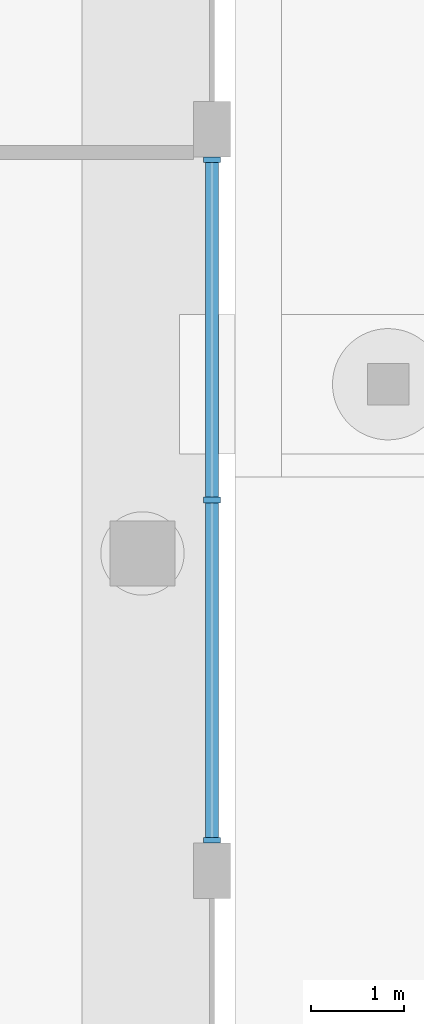
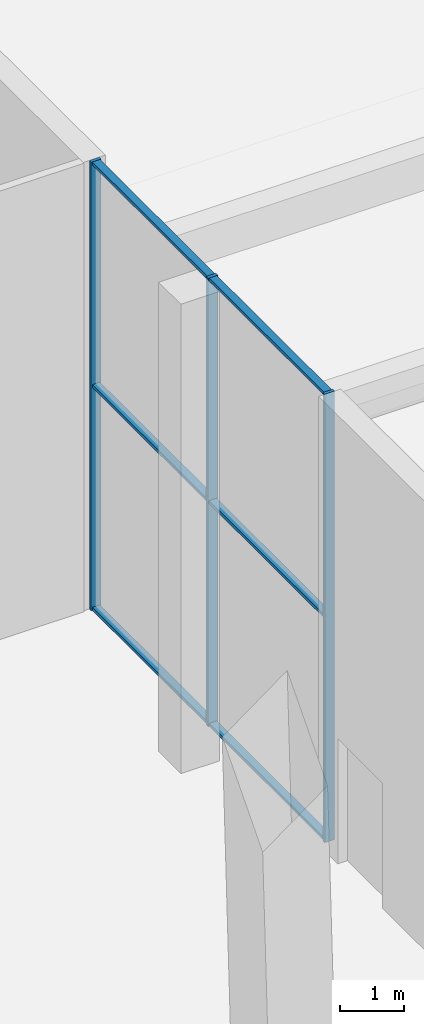
# One storey, part 13 of 63: 9 members, 1 element without a shape of its own.
"""IFC4 building model written with IfcOpenShell, lengths in metres."""

from ifc_helpers import new_model, si_unit, direction, frame, origin, origin_2d, place, context, subcontext, project, spatial, rectangle, extrude, material, layer, layer_set, material_profile, profile_set, type_object, element, aggregate, save


model = new_model("IFC4")

# Units and contexts
model_context = context("Model", 3, precision=1e-05, world=origin(), true_north=direction((0.0, 1.0)))
body_context = subcontext(model_context, "Body", "Model", "MODEL_VIEW")
ifc_project = project(units=[si_unit("LENGTHUNIT", "METRE"), si_unit("AREAUNIT", "SQUARE_METRE"), si_unit("VOLUMEUNIT", "CUBIC_METRE"), si_unit("PLANEANGLEUNIT", "RADIAN"), si_unit("MASSUNIT", "GRAM", prefix="KILO")], contexts=[model_context])

# Site, building, storey
site_placement = place(None, origin())
site = spatial("IfcSite", under=ifc_project, at=site_placement, CompositionType="ELEMENT")
building_placement = place(site_placement, origin())
building = spatial("IfcBuilding", under=site, at=building_placement, Name="Jabali Bay Hotel Tower and Convention Centre", CompositionType="ELEMENT")
storey_placement = place(building_placement, origin())
storey = spatial("IfcBuildingStorey", under=building, at=storey_placement, Name="L00", CompositionType="ELEMENT", Elevation=0.0)

# Curtain wall, members
ifc_material_1 = material(Name="Aluminium and glass", Category="aluminium")
ifc_layer = layer(ifc_material_1, 0.179931640625)
ifc_layer_set = layer_set([ifc_layer], Name="Aluminium and glass")
curtain_wall_type = type_object("IfcCurtainWallType", Name="CW1 curtain wall", PredefinedType="NOTDEFINED", material=ifc_layer_set)
curtain_wall_placement = place(storey_placement, origin())
curtain_wall = element("IfcCurtainWall", 1, at=curtain_wall_placement, inside=storey, type_object=curtain_wall_type, Name="CW1 curtain wall east face L00", PredefinedType="NOTDEFINED")
ifc_material_2 = material(Name="Aluminium", Category="aluminium")
ifc_material_profile_1 = material_profile(ifc_material_2, rectangle(XDim=0.179931640625, YDim=0.06005859375, at=origin_2d()), Name="CW1 mullion 60 x 180")
ifc_profile_set_1 = profile_set([ifc_material_profile_1], Name="Aluminium")
member_type_1 = type_object("IfcMemberType", Name="CW1 mullion 60 x 180", PredefinedType="MULLION", material=ifc_profile_set_1)
member_1_placement = place(storey_placement, frame((103.5, 79.919921875, 0.0), z_axis=(0.0, 0.0, 1.0), x_axis=(1.0, 0.0, 0.0)))
member_1 = element("IfcMember", 2, at=member_1_placement, type_object=member_type_1, Name="CW1 mullion 1", PredefinedType="MULLION", context=body_context, shape_type="SweptSolid", body=[
    extrude(rectangle(XDim=0.179931640625, YDim=0.06005859375, at=origin_2d()), origin(), (0.0, 0.0, 1.0), 8.60009765625),
])
member_2_placement = place(storey_placement, frame((103.5, 76.251220703125, 0.0), z_axis=(0.0, 0.0, 1.0), x_axis=(1.0, 0.0, 0.0)))
member_2 = element("IfcMember", 3, at=member_2_placement, type_object=member_type_1, Name="CW1 mullion 2", PredefinedType="MULLION", context=body_context, shape_type="SweptSolid", body=[
    extrude(rectangle(XDim=0.179931640625, YDim=0.06005859375, at=origin_2d()), origin(), (0.0, 0.0, 1.0), 8.60009765625),
])
member_3_placement = place(storey_placement, frame((103.5, 72.58251953125, 0.0), z_axis=(0.0, 0.0, 1.0), x_axis=(1.0, 0.0, 0.0)))
member_3 = element("IfcMember", 4, at=member_3_placement, type_object=member_type_1, Name="CW1 mullion 3", PredefinedType="MULLION", context=body_context, shape_type="SweptSolid", body=[
    extrude(rectangle(XDim=0.179931640625, YDim=0.06005859375, at=origin_2d()), origin(), (0.0, 0.0, 1.0), 8.60009765625),
])
ifc_material_profile_2 = material_profile(ifc_material_2, rectangle(XDim=0.139892578125, YDim=0.06005859375, at=origin_2d()), Name="CW1 transom 60 x 140")
ifc_profile_set_2 = profile_set([ifc_material_profile_2], Name="Aluminium")
member_type_2 = type_object("IfcMemberType", Name="CW1 transom 60 x 140", PredefinedType="USERDEFINED", material=ifc_profile_set_2)
member_4_placement = place(storey_placement, frame((103.5, 79.889892578125, 0.030029296875), z_axis=(0.0, -1.0, 0.0), x_axis=(1.0, 0.0, 0.0)))
member_4 = element("IfcMember", 5, at=member_4_placement, type_object=member_type_2, Name="CW1 transom 1.1", ObjectType="TRANSOM", PredefinedType="USERDEFINED", context=body_context, shape_type="SweptSolid", body=[
    extrude(rectangle(XDim=0.139892578125, YDim=0.06005859375, at=origin_2d()), origin(), (0.0, 0.0, 1.0), 3.608642578125),
])
member_5_placement = place(storey_placement, frame((103.5, 79.889892578125, 4.300048828125), z_axis=(0.0, -1.0, 0.0), x_axis=(1.0, 0.0, 0.0)))
member_5 = element("IfcMember", 6, at=member_5_placement, type_object=member_type_2, Name="CW1 transom 1.2", ObjectType="TRANSOM", PredefinedType="USERDEFINED", context=body_context, shape_type="SweptSolid", body=[
    extrude(rectangle(XDim=0.139892578125, YDim=0.06005859375, at=origin_2d()), origin(), (0.0, 0.0, 1.0), 3.608642578125),
])
member_6_placement = place(storey_placement, frame((103.5, 79.889892578125, 8.570068359375), z_axis=(0.0, -1.0, 0.0), x_axis=(1.0, 0.0, 0.0)))
member_6 = element("IfcMember", 7, at=member_6_placement, type_object=member_type_2, Name="CW1 transom 1.3", ObjectType="TRANSOM", PredefinedType="USERDEFINED", context=body_context, shape_type="SweptSolid", body=[
    extrude(rectangle(XDim=0.139892578125, YDim=0.06005859375, at=origin_2d()), origin(), (0.0, 0.0, 1.0), 3.608642578125),
])
member_7_placement = place(storey_placement, frame((103.5, 76.22119140625, 0.030029296875), z_axis=(0.0, -1.0, 0.0), x_axis=(1.0, 0.0, 0.0)))
member_7 = element("IfcMember", 8, at=member_7_placement, type_object=member_type_2, Name="CW1 transom 2.1", ObjectType="TRANSOM", PredefinedType="USERDEFINED", context=body_context, shape_type="SweptSolid", body=[
    extrude(rectangle(XDim=0.139892578125, YDim=0.06005859375, at=origin_2d()), origin(), (0.0, 0.0, 1.0), 3.608642578125),
])
member_8_placement = place(storey_placement, frame((103.5, 76.22119140625, 4.300048828125), z_axis=(0.0, -1.0, 0.0), x_axis=(1.0, 0.0, 0.0)))
member_8 = element("IfcMember", 9, at=member_8_placement, type_object=member_type_2, Name="CW1 transom 2.2", ObjectType="TRANSOM", PredefinedType="USERDEFINED", context=body_context, shape_type="SweptSolid", body=[
    extrude(rectangle(XDim=0.139892578125, YDim=0.06005859375, at=origin_2d()), origin(), (0.0, 0.0, 1.0), 3.608642578125),
])
member_9_placement = place(storey_placement, frame((103.5, 76.22119140625, 8.570068359375), z_axis=(0.0, -1.0, 0.0), x_axis=(1.0, 0.0, 0.0)))
member_9 = element("IfcMember", 10, at=member_9_placement, type_object=member_type_2, Name="CW1 transom 2.3", ObjectType="TRANSOM", PredefinedType="USERDEFINED", context=body_context, shape_type="SweptSolid", body=[
    extrude(rectangle(XDim=0.139892578125, YDim=0.06005859375, at=origin_2d()), origin(), (0.0, 0.0, 1.0), 3.608642578125),
])
aggregate(curtain_wall, [member_1, member_2, member_3, member_4, member_5, member_6, member_7, member_8, member_9])

save(model, "model.ifc")
